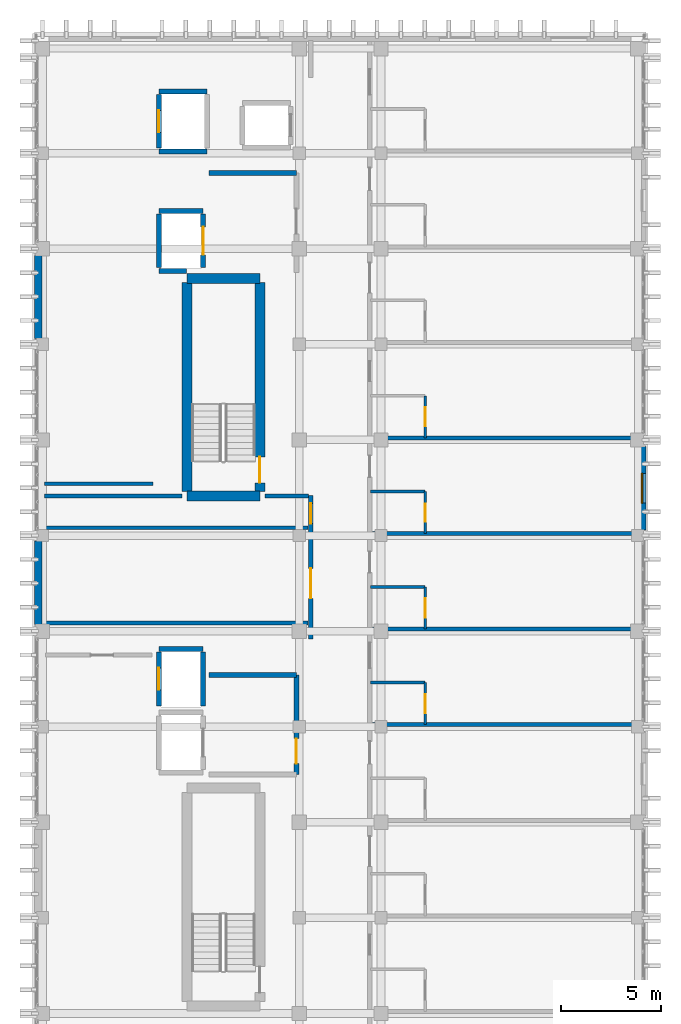
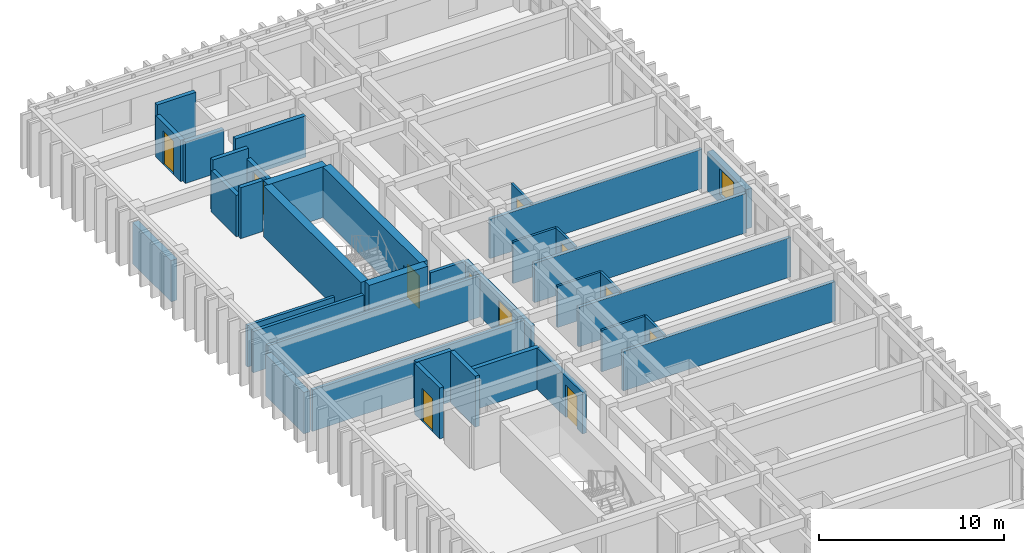
# One storey, part 50 of 59: 37 walls, 11 doors, 1 window, 12 openings.
"""IFC4 building model written with IfcOpenShell, lengths in metres."""

from ifc_helpers import new_model, si_unit, direction, frame, frame_2d, origin, place, context, subcontext, project, spatial, rectangle, extrude, material, layer, layer_set, type_object, element, fill, save


model = new_model("IFC4")

# Units and contexts
model_context = context("Model", 3, precision=1e-05, world=origin(), true_north=direction((0.0, 1.0)))
body_context = subcontext(model_context, "Body", "Model", "MODEL_VIEW")
ifc_project = project(units=[si_unit("LENGTHUNIT", "METRE"), si_unit("AREAUNIT", "SQUARE_METRE"), si_unit("VOLUMEUNIT", "CUBIC_METRE"), si_unit("PLANEANGLEUNIT", "RADIAN"), si_unit("MASSUNIT", "GRAM", prefix="KILO")], contexts=[model_context])

# Site, building, storey
site_placement = place(None, origin())
site = spatial("IfcSite", under=ifc_project, at=site_placement, CompositionType="ELEMENT")
building_placement = place(site_placement, origin())
building = spatial("IfcBuilding", under=site, at=building_placement, Name="Nakhvara Creek Congress Hotel", CompositionType="ELEMENT")
storey_placement = place(building_placement, frame((0.0, 0.0, 31.800048828125)))
storey = spatial("IfcBuildingStorey", under=building, at=storey_placement, Name="L07", CompositionType="ELEMENT", Elevation=31.800048828125)

# Walls
ifc_material_1 = material(Name="Concrete C50/60", Category="concrete")
ifc_layer_1 = layer(ifc_material_1, 0.5)
ifc_layer_set_1 = layer_set([ifc_layer_1], Name="Concrete C50/60")
wall_type_1 = type_object("IfcWallType", Name="W-CORE-500", PredefinedType="SHEAR", material=ifc_layer_set_1)
for number, where, z_axis, x_axis, name in (
    (1, (156.699951171875, 102.780029296875, 0.0), (0.0, 0.0, 1.0), (1.0, 0.0, 0.0), "Core Shear Wall WS01-CWALL-L07-0430"),
    (2, (156.699951171875, 113.719970703125, 0.0), (0.0, 0.0, 1.0), (1.0, 0.0, 0.0), "Core Shear Wall WS01-CWALL-L07-0431"),
):
    element("IfcWall", number, at=place(storey_placement, frame(where, z_axis=z_axis, x_axis=x_axis)), inside=storey, type_object=wall_type_1, Name=name, PredefinedType="SHEAR", context=body_context, shape_type="SweptSolid", body=[
        extrude(rectangle(XDim=3.670166015625, YDim=0.5, at=frame_2d((1.8349609375, 0.0))), origin(), (0.0, 0.0, 1.0), 3.35986328125),
    ])
wall_1_placement = place(storey_placement, frame((156.699951171875, 103.0, 0.0), z_axis=(0.0, 0.0, 1.0), x_axis=(0.0, 1.0, 0.0)))
element("IfcWall", 3, at=wall_1_placement, inside=storey, type_object=wall_type_1, Name="Core Shear Wall WS01-CWALL-L07-0432", PredefinedType="SHEAR", context=body_context, shape_type="SweptSolid", body=[
    extrude(rectangle(XDim=10.5, YDim=0.5, at=frame_2d((5.25, 0.0))), origin(), (0.0, 0.0, 1.0), 3.35986328125),
])

# Wall, opening, door
wall_2_placement = place(storey_placement, frame((160.3701171875, 103.0, 0.0), z_axis=(0.0, 0.0, 1.0), x_axis=(0.0, 1.0, 0.0)))
wall_2 = element("IfcWall", 4, at=wall_2_placement, inside=storey, type_object=wall_type_1, Name="Core Shear Wall WS01-CWALL-L07-0433", PredefinedType="SHEAR", context=body_context, shape_type="SweptSolid", body=[
    extrude(rectangle(XDim=10.5, YDim=0.5, at=frame_2d((5.25, 0.0))), origin(), (0.0, 0.0, 1.0), 3.35986328125),
])
opening_1_placement = place(wall_2_placement, frame((0.449951171875, 0.0, 0.0)))
opening_1 = element("IfcOpeningElement", 5, at=opening_1_placement, cuts=wall_2, Name="Opening FD04", PredefinedType="OPENING", context=body_context, shape_type="SweptSolid", body=[
    extrude(rectangle(XDim=1.300048828125, YDim=2.14990234375, at=frame_2d((0.64990234375, 1.074951171875))), frame((0.0, 0.261962890625, 0.0), z_axis=(0.0, -1.0, 0.0), x_axis=(1.0, 0.0, 0.0)), (0.0, 0.0, 1.0), 0.52392578125),
])
ifc_material_2 = material(Name="Powder-coated steel fire door", Category="steel")
door_type_1 = type_object("IfcDoorType", Name="DT-STAIR-130", OperationType="NOTDEFINED", PredefinedType="DOOR", material=ifc_material_2)
door_1_placement = place(opening_1_placement, frame((1.300048828125, 0.0, 0.0), z_axis=(0.0, 0.0, 1.0), x_axis=(-1.0, 0.0, 0.0)))
door_1 = element("IfcDoor", 6, at=door_1_placement, inside=storey, type_object=door_type_1, Name="Stair Exit Door ST02-L07", OperationType="SINGLE_SWING_LEFT", OverallHeight=2.14990234375, OverallWidth=1.300048828125, PredefinedType="DOOR", context=body_context, shape_type="SweptSolid", body=[
    extrude(rectangle(XDim=1.300048828125, YDim=2.14990234375, at=frame_2d((0.64990234375, 1.074951171875))), frame((0.0, 0.02490234375, 0.0), z_axis=(0.0, -1.0, 0.0), x_axis=(1.0, 0.0, 0.0)), (0.0, 0.0, 1.0), 0.050048828125),
])
fill(opening_1, door_1)

# Wall, openings, doors
ifc_material_3 = material(Name="Gypsum acoustic board on steel stud", Category="steel")
ifc_layer_2 = layer(ifc_material_3, 0.219970703125)
ifc_layer_set_2 = layer_set([ifc_layer_2], Name="Gypsum acoustic board on steel stud")
wall_type_2 = type_object("IfcWallType", Name="W-CORR-220", PredefinedType="PARTITIONING", material=ifc_layer_set_2)
wall_3_placement = place(storey_placement, frame((162.919921875, 95.60009765625, 0.0), z_axis=(0.0, 0.0, 1.0), x_axis=(0.0, 1.0, 0.0)))
wall_3 = element("IfcWall", 7, at=wall_3_placement, inside=storey, type_object=wall_type_2, Name="Interior Wall WP11-IW-L07-0519", PredefinedType="PARTITIONING", context=body_context, shape_type="SweptSolid", body=[
    extrude(rectangle(XDim=7.219970703125, YDim=0.219970703125, at=frame_2d((3.60986328125, 0.0))), origin(), (0.0, 0.0, 1.0), 2.73193359375),
])
opening_2_placement = place(wall_3_placement, frame((2.050048828125, 0.0, 0.0)))
opening_2 = element("IfcOpeningElement", 8, at=opening_2_placement, cuts=wall_3, Name="Opening GD03", PredefinedType="OPENING", context=body_context, shape_type="SweptSolid", body=[
    extrude(rectangle(XDim=1.5, YDim=2.300048828125, at=frame_2d((0.75, 1.14990234375))), frame((0.0, 0.1220703125, 0.0), z_axis=(0.0, -1.0, 0.0), x_axis=(1.0, 0.0, 0.0)), (0.0, 0.0, 1.0), 0.243896484375),
])
opening_3_placement = place(wall_3_placement, frame((5.800048828125, 0.0, 0.0)))
opening_3 = element("IfcOpeningElement", 9, at=opening_3_placement, cuts=wall_3, Name="Opening GD01", PredefinedType="OPENING", context=body_context, shape_type="SweptSolid", body=[
    extrude(rectangle(XDim=1.02001953125, YDim=2.199951171875, at=frame_2d((0.510009765625, 1.10009765625))), frame((0.0, 0.1220703125, 0.0), z_axis=(0.0, -1.0, 0.0), x_axis=(1.0, 0.0, 0.0)), (0.0, 0.0, 1.0), 0.243896484375),
])
ifc_material_4 = material(Name="Walnut hardwood timber fire door", Category="wood")
door_type_2 = type_object("IfcDoorType", Name="DT-GUEST-102", OperationType="NOTDEFINED", PredefinedType="DOOR", material=ifc_material_4)
door_2_placement = place(opening_3_placement, frame((1.02001953125, 0.0, 0.0), z_axis=(0.0, 0.0, 1.0), x_axis=(-1.0, 0.0, 0.0)))
door_2 = element("IfcDoor", 10, at=door_2_placement, inside=storey, type_object=door_type_2, Name="Interior Door GD01-0398", OperationType="SINGLE_SWING_LEFT", OverallHeight=2.199951171875, OverallWidth=1.02001953125, PredefinedType="DOOR", context=body_context, shape_type="SweptSolid", body=[
    extrude(rectangle(XDim=1.02001953125, YDim=2.199951171875, at=frame_2d((0.510009765625, 1.10009765625))), frame((0.0, 0.02490234375, 0.0), z_axis=(0.0, -1.0, 0.0), x_axis=(1.0, 0.0, 0.0)), (0.0, 0.0, 1.0), 0.050048828125),
])
fill(opening_3, door_2)
ifc_material_5 = material(Name="Walnut hardwood double fire door", Category="wood")
door_type_3 = type_object("IfcDoorType", Name="DT-SUITE-150", OperationType="DOUBLE_DOOR_SINGLE_SWING", PredefinedType="DOOR", material=ifc_material_5)
door_3_placement = place(opening_2_placement, frame((1.5, 0.0, 0.0), z_axis=(0.0, 0.0, 1.0), x_axis=(-1.0, 0.0, 0.0)))
door_3 = element("IfcDoor", 11, at=door_3_placement, inside=storey, type_object=door_type_3, Name="Interior Door GD03-0397", OperationType="DOUBLE_DOOR_SINGLE_SWING", OverallHeight=2.300048828125, OverallWidth=1.5, PredefinedType="DOOR", context=body_context, shape_type="SweptSolid", body=[
    extrude(rectangle(XDim=1.5, YDim=2.300048828125, at=frame_2d((0.75, 1.14990234375))), frame((0.0, 0.02490234375, 0.0), z_axis=(0.0, -1.0, 0.0), x_axis=(1.0, 0.0, 0.0)), (0.0, 0.0, 1.0), 0.050048828125),
])
fill(opening_2, door_3)

# Wall, opening, door
ifc_material_6 = material(Name="Moisture-resistant gypsum board partition")
ifc_layer_3 = layer(ifc_material_6, 0.139892578125)
ifc_layer_set_3 = layer_set([ifc_layer_3], Name="Moisture-resistant gypsum board partition")
wall_type_3 = type_object("IfcWallType", Name="W-ENS-140", PredefinedType="PARTITIONING", material=ifc_layer_set_3)
wall_4_placement = place(storey_placement, frame((168.669921875, 91.300048828125, 0.0), z_axis=(0.0, 0.0, 1.0), x_axis=(0.0, 1.0, 0.0)))
wall_4 = element("IfcWall", 12, at=wall_4_placement, inside=storey, type_object=wall_type_3, Name="Interior Wall WP15-IW-L07-0565", PredefinedType="PARTITIONING", context=body_context, shape_type="SweptSolid", body=[
    extrude(rectangle(XDim=2.115966796875, YDim=0.139892578125, at=frame_2d((1.05810546875, 0.0))), origin(), (0.0, 0.0, 1.0), 2.73193359375),
])
opening_4_placement = place(wall_4_placement, frame((0.5830078125, 0.0, 0.0)))
opening_4 = element("IfcOpeningElement", 13, at=opening_4_placement, cuts=wall_4, Name="Opening ID02", PredefinedType="OPENING", context=body_context, shape_type="SweptSolid", body=[
    extrude(rectangle(XDim=0.9599609375, YDim=2.1201171875, at=frame_2d((0.47998046875, 1.06005859375))), frame((0.0, 0.08203125, 0.0), z_axis=(0.0, -1.0, 0.0), x_axis=(1.0, 0.0, 0.0)), (0.0, 0.0, 1.0), 0.163818359375),
])
ifc_material_7 = material(Name="Moisture-resistant walnut timber door", Category="wood")
door_type_4 = type_object("IfcDoorType", Name="DT-ENS-096", OperationType="NOTDEFINED", PredefinedType="DOOR", material=ifc_material_7)
door_4_placement = place(opening_4_placement, frame((0.9599609375, 0.0, 0.0), z_axis=(0.0, 0.0, 1.0), x_axis=(-1.0, 0.0, 0.0)))
door_4 = element("IfcDoor", 14, at=door_4_placement, inside=storey, type_object=door_type_4, Name="Interior Door ID02-0425", OperationType="SINGLE_SWING_RIGHT", OverallHeight=2.1201171875, OverallWidth=0.9599609375, PredefinedType="DOOR", context=body_context, shape_type="SweptSolid", body=[
    extrude(rectangle(XDim=0.9599609375, YDim=2.1201171875, at=frame_2d((0.47998046875, 1.06005859375))), frame((0.0, 0.02490234375, 0.0), z_axis=(0.0, -1.0, 0.0), x_axis=(1.0, 0.0, 0.0)), (0.0, 0.0, 1.0), 0.050048828125),
])
fill(opening_4, door_4)

# Wall
wall_5_placement = place(storey_placement, frame((165.919921875, 93.416015625, 0.0), z_axis=(0.0, 0.0, 1.0), x_axis=(1.0, 0.0, 0.0)))
element("IfcWall", 15, at=wall_5_placement, inside=storey, type_object=wall_type_3, Name="Interior Wall WP15-IW-L07-0566", PredefinedType="PARTITIONING", context=body_context, shape_type="SweptSolid", body=[
    extrude(rectangle(XDim=2.75, YDim=0.139892578125, at=frame_2d((1.375, 0.0))), origin(), (0.0, 0.0, 1.0), 2.73193359375),
])

# Wall, opening, door
wall_6_placement = place(storey_placement, frame((168.669921875, 96.10009765625, 0.0), z_axis=(0.0, 0.0, 1.0), x_axis=(0.0, 1.0, 0.0)))
wall_6 = element("IfcWall", 16, at=wall_6_placement, inside=storey, type_object=wall_type_3, Name="Interior Wall WP15-IW-L07-0568", PredefinedType="PARTITIONING", context=body_context, shape_type="SweptSolid", body=[
    extrude(rectangle(XDim=2.115966796875, YDim=0.139892578125, at=frame_2d((1.05810546875, 0.0))), origin(), (0.0, 0.0, 1.0), 2.73193359375),
])
opening_5_placement = place(wall_6_placement, frame((0.5830078125, 0.0, 0.0)))
opening_5 = element("IfcOpeningElement", 17, at=opening_5_placement, cuts=wall_6, Name="Opening ID02", PredefinedType="OPENING", context=body_context, shape_type="SweptSolid", body=[
    extrude(rectangle(XDim=0.9599609375, YDim=2.1201171875, at=frame_2d((0.47998046875, 1.06005859375))), frame((0.0, 0.08203125, 0.0), z_axis=(0.0, -1.0, 0.0), x_axis=(1.0, 0.0, 0.0)), (0.0, 0.0, 1.0), 0.163818359375),
])
door_5_placement = place(opening_5_placement, frame((0.9599609375, 0.0, 0.0), z_axis=(0.0, 0.0, 1.0), x_axis=(-1.0, 0.0, 0.0)))
door_5 = element("IfcDoor", 18, at=door_5_placement, inside=storey, type_object=door_type_4, Name="Interior Door ID02-0427", OperationType="SINGLE_SWING_RIGHT", OverallHeight=2.1201171875, OverallWidth=0.9599609375, PredefinedType="DOOR", context=body_context, shape_type="SweptSolid", body=[
    extrude(rectangle(XDim=0.9599609375, YDim=2.1201171875, at=frame_2d((0.47998046875, 1.06005859375))), frame((0.0, 0.02490234375, 0.0), z_axis=(0.0, -1.0, 0.0), x_axis=(1.0, 0.0, 0.0)), (0.0, 0.0, 1.0), 0.050048828125),
])
fill(opening_5, door_5)

# Wall
wall_7_placement = place(storey_placement, frame((165.919921875, 98.216064453125, 0.0), z_axis=(0.0, 0.0, 1.0), x_axis=(1.0, 0.0, 0.0)))
element("IfcWall", 19, at=wall_7_placement, inside=storey, type_object=wall_type_3, Name="Interior Wall WP15-IW-L07-0569", PredefinedType="PARTITIONING", context=body_context, shape_type="SweptSolid", body=[
    extrude(rectangle(XDim=2.75, YDim=0.139892578125, at=frame_2d((1.375, 0.0))), origin(), (0.0, 0.0, 1.0), 2.73193359375),
])

# Wall, opening, door
wall_8_placement = place(storey_placement, frame((168.669921875, 100.89990234375, 0.0), z_axis=(0.0, 0.0, 1.0), x_axis=(0.0, 1.0, 0.0)))
wall_8 = element("IfcWall", 20, at=wall_8_placement, inside=storey, type_object=wall_type_3, Name="Interior Wall WP15-IW-L07-0571", PredefinedType="PARTITIONING", context=body_context, shape_type="SweptSolid", body=[
    extrude(rectangle(XDim=2.1162109375, YDim=0.139892578125, at=frame_2d((1.05810546875, 0.0))), origin(), (0.0, 0.0, 1.0), 2.73193359375),
])
opening_6_placement = place(wall_8_placement, frame((0.5830078125, 0.0, 0.0)))
opening_6 = element("IfcOpeningElement", 21, at=opening_6_placement, cuts=wall_8, Name="Opening ID01", PredefinedType="OPENING", context=body_context, shape_type="SweptSolid", body=[
    extrude(rectangle(XDim=0.919921875, YDim=2.10009765625, at=frame_2d((0.4599609375, 1.050048828125))), frame((0.0, 0.08203125, 0.0), z_axis=(0.0, -1.0, 0.0), x_axis=(1.0, 0.0, 0.0)), (0.0, 0.0, 1.0), 0.163818359375),
])
door_type_5 = type_object("IfcDoorType", Name="DT-ENS-092", OperationType="NOTDEFINED", PredefinedType="DOOR", material=ifc_material_7)
door_6_placement = place(opening_6_placement, frame((0.919921875, 0.0, 0.0), z_axis=(0.0, 0.0, 1.0), x_axis=(-1.0, 0.0, 0.0)))
door_6 = element("IfcDoor", 22, at=door_6_placement, inside=storey, type_object=door_type_5, Name="Interior Door ID01-0429", OperationType="SINGLE_SWING_RIGHT", OverallHeight=2.10009765625, OverallWidth=0.919921875, PredefinedType="DOOR", context=body_context, shape_type="SweptSolid", body=[
    extrude(rectangle(XDim=0.919921875, YDim=2.10009765625, at=frame_2d((0.4599609375, 1.050048828125))), frame((0.0, 0.02490234375, 0.0), z_axis=(0.0, -1.0, 0.0), x_axis=(1.0, 0.0, 0.0)), (0.0, 0.0, 1.0), 0.050048828125),
])
fill(opening_6, door_6)

# Wall
wall_9_placement = place(storey_placement, frame((165.919921875, 103.01611328125, 0.0), z_axis=(0.0, 0.0, 1.0), x_axis=(1.0, 0.0, 0.0)))
element("IfcWall", 23, at=wall_9_placement, inside=storey, type_object=wall_type_3, Name="Interior Wall WP15-IW-L07-0572", PredefinedType="PARTITIONING", context=body_context, shape_type="SweptSolid", body=[
    extrude(rectangle(XDim=2.75, YDim=0.139892578125, at=frame_2d((1.375, 0.0))), origin(), (0.0, 0.0, 1.0), 2.73193359375),
])

# Wall, opening, door
wall_10_placement = place(storey_placement, frame((168.669921875, 105.699951171875, 0.0), z_axis=(0.0, 0.0, 1.0), x_axis=(0.0, 1.0, 0.0)))
wall_10 = element("IfcWall", 24, at=wall_10_placement, inside=storey, type_object=wall_type_3, Name="Interior Wall WP15-IW-L07-0574", PredefinedType="PARTITIONING", context=body_context, shape_type="SweptSolid", body=[
    extrude(rectangle(XDim=2.115966796875, YDim=0.139892578125, at=frame_2d((1.05810546875, 0.0))), origin(), (0.0, 0.0, 1.0), 2.73193359375),
])
opening_7_placement = place(wall_10_placement, frame((0.5830078125, 0.0, 0.0)))
opening_7 = element("IfcOpeningElement", 25, at=opening_7_placement, cuts=wall_10, Name="Opening ID02", PredefinedType="OPENING", context=body_context, shape_type="SweptSolid", body=[
    extrude(rectangle(XDim=0.9599609375, YDim=2.1201171875, at=frame_2d((0.47998046875, 1.06005859375))), frame((0.0, 0.08203125, 0.0), z_axis=(0.0, -1.0, 0.0), x_axis=(1.0, 0.0, 0.0)), (0.0, 0.0, 1.0), 0.163818359375),
])
door_7_placement = place(opening_7_placement, frame((0.9599609375, 0.0, 0.0), z_axis=(0.0, 0.0, 1.0), x_axis=(-1.0, 0.0, 0.0)))
door_7 = element("IfcDoor", 26, at=door_7_placement, inside=storey, type_object=door_type_4, Name="Interior Door ID02-0431", OperationType="SINGLE_SWING_RIGHT", OverallHeight=2.1201171875, OverallWidth=0.9599609375, PredefinedType="DOOR", context=body_context, shape_type="SweptSolid", body=[
    extrude(rectangle(XDim=0.9599609375, YDim=2.1201171875, at=frame_2d((0.47998046875, 1.06005859375))), frame((0.0, 0.02490234375, 0.0), z_axis=(0.0, -1.0, 0.0), x_axis=(1.0, 0.0, 0.0)), (0.0, 0.0, 1.0), 0.050048828125),
])
fill(opening_7, door_7)

# Wall
ifc_material_8 = material(Name="Honed pale Omani limestone cladding", Category="masonry")
ifc_layer_4 = layer(ifc_material_8, 0.050048828125)
ifc_material_9 = material(Name="Mineral wool thermal insulation")
ifc_layer_5 = layer(ifc_material_9, 0.110107421875)
ifc_material_10 = material(Name="Precast concrete C40/50", Category="concrete")
ifc_layer_6 = layer(ifc_material_10, 0.219970703125)
ifc_layer_set_4 = layer_set([ifc_layer_4, ifc_layer_5, ifc_layer_6], Name="Precast concrete C40/50")
wall_type_4 = type_object("IfcWallType", Name="W-EXT-380", PredefinedType="SOLIDWALL", material=ifc_layer_set_4)
wall_11_placement = place(storey_placement, frame((149.239990234375, 96.3349609375, 0.0), z_axis=(0.0, 0.0, 1.0), x_axis=(0.0, 1.0, 0.0)))
element("IfcWall", 27, at=wall_11_placement, inside=storey, type_object=wall_type_4, Name="Exterior Wall WE03-EW-L07-0184", PredefinedType="SOLIDWALL", context=body_context, shape_type="SweptSolid", body=[
    extrude(rectangle(XDim=4.179931640625, YDim=0.3798828125, at=frame_2d((2.08984375, 0.0))), origin(), (0.0, 0.0, 1.0), 2.73193359375),
])

# Wall, opening, window
wall_12_placement = place(storey_placement, frame((179.56005859375, 105.264892578125, 0.0), z_axis=(0.0, 0.0, 1.0), x_axis=(0.0, -1.0, 0.0)))
wall_12 = element("IfcWall", 28, at=wall_12_placement, inside=storey, type_object=wall_type_4, Name="Exterior Wall WE03-EW-L07-0185", PredefinedType="SOLIDWALL", context=body_context, shape_type="SweptSolid", body=[
    extrude(rectangle(XDim=4.179931640625, YDim=0.3798828125, at=frame_2d((2.08984375, 0.0))), origin(), (0.0, 0.0, 1.0), 2.60205078125),
])
opening_8_placement = place(wall_12_placement, frame((1.340087890625, 0.0, 0.550048828125)))
opening_8 = element("IfcOpeningElement", 29, at=opening_8_placement, cuts=wall_12, Name="Opening WN0199", PredefinedType="OPENING", context=body_context, shape_type="SweptSolid", body=[
    extrude(rectangle(XDim=1.5, YDim=1.739990234375, at=frame_2d((0.75, 0.8701171875))), frame((0.0, 0.201904296875, 0.0), z_axis=(0.0, -1.0, 0.0), x_axis=(1.0, 0.0, 0.0)), (0.0, 0.0, 1.0), 0.40380859375),
])
ifc_material_11 = material(Name="Thermally broken bronze-anodised aluminium and double-silver low-E insulated glass", Category="aluminium")
window_type = type_object("IfcWindowType", Name="WN-LAN-150X220", PartitioningType="SINGLE_PANEL", PredefinedType="WINDOW", material=ifc_material_11)
window_placement = place(opening_8_placement, origin())
window = element("IfcWindow", 30, at=window_placement, inside=storey, type_object=window_type, Name="Facade Window WN0199", OverallHeight=1.739990234375, OverallWidth=1.5, PartitioningType="SINGLE_PANEL", PredefinedType="WINDOW", context=body_context, shape_type="SweptSolid", body=[
    extrude(rectangle(XDim=1.5, YDim=1.739990234375, at=frame_2d((0.75, 0.8701171875))), frame((0.0, 0.030029296875, 0.0), z_axis=(0.0, -1.0, 0.0), x_axis=(1.0, 0.0, 0.0)), (0.0, 0.0, 1.0), 0.06005859375),
])
fill(opening_8, window)

# Wall
wall_13_placement = place(storey_placement, frame((149.239990234375, 110.68505859375, 0.0), z_axis=(0.0, 0.0, 1.0), x_axis=(0.0, 1.0, 0.0)))
element("IfcWall", 31, at=wall_13_placement, inside=storey, type_object=wall_type_4, Name="Exterior Wall WE03-EW-L07-0186", PredefinedType="SOLIDWALL", context=body_context, shape_type="SweptSolid", body=[
    extrude(rectangle(XDim=4.179931640625, YDim=0.3798828125, at=frame_2d((2.08984375, 0.0))), origin(), (0.0, 0.0, 1.0), 2.73193359375),
])

# Wall, opening, door
ifc_material_12 = material(Name="Concrete C40/50", Category="concrete")
ifc_layer_7 = layer(ifc_material_12, 0.260009765625)
ifc_layer_set_5 = layer_set([ifc_layer_7], Name="Concrete C40/50")
wall_type_5 = type_object("IfcWallType", Name="W-FFL-260", PredefinedType="SOLIDWALL", material=ifc_layer_set_5)
wall_14_placement = place(storey_placement, frame((162.199951171875, 88.800048828125, 0.0), z_axis=(0.0, 0.0, 1.0), x_axis=(0.0, 1.0, 0.0)))
wall_14 = element("IfcWall", 32, at=wall_14_placement, inside=storey, type_object=wall_type_5, Name="Core Shear Wall WI03-CWALL-L07-0178", PredefinedType="SOLIDWALL", context=body_context, shape_type="SweptSolid", body=[
    extrude(rectangle(XDim=5.0, YDim=0.260009765625, at=frame_2d((2.5, 0.0))), origin(), (0.0, 0.0, 1.0), 2.73193359375),
])
opening_9_placement = place(wall_14_placement, frame((0.550048828125, 0.0, 0.0)))
opening_9 = element("IfcOpeningElement", 33, at=opening_9_placement, cuts=wall_14, Name="Opening FD05", PredefinedType="OPENING", context=body_context, shape_type="SweptSolid", body=[
    extrude(rectangle(XDim=1.25, YDim=2.14990234375, at=frame_2d((0.625, 1.074951171875))), frame((0.0, 0.14208984375, 0.0), z_axis=(0.0, -1.0, 0.0), x_axis=(1.0, 0.0, 0.0)), (0.0, 0.0, 1.0), 0.283935546875),
])
ifc_material_13 = material(Name="Hardwood-veneered steel fire door", Category="steel")
door_type_6 = type_object("IfcDoorType", Name="DT-FFL-125", OperationType="NOTDEFINED", PredefinedType="DOOR", material=ifc_material_13)
door_8_placement = place(opening_9_placement, origin())
door_8 = element("IfcDoor", 34, at=door_8_placement, inside=storey, type_object=door_type_6, Name="Firefighting Lobby Door C1-L07", OperationType="DOUBLE_DOOR_SINGLE_SWING", OverallHeight=2.14990234375, OverallWidth=1.25, PredefinedType="DOOR", context=body_context, shape_type="SweptSolid", body=[
    extrude(rectangle(XDim=1.25, YDim=2.14990234375, at=frame_2d((0.625, 1.074951171875))), frame((0.0, 0.02490234375, 0.0), z_axis=(0.0, -1.0, 0.0), x_axis=(1.0, 0.0, 0.0)), (0.0, 0.0, 1.0), 0.050048828125),
])
fill(opening_9, door_8)

# Walls
for number, where, z_axis, x_axis, name in (
    (35, (157.800048828125, 93.800048828125, 0.0), (0.0, 0.0, 1.0), (1.0, 0.0, 0.0), "Core Shear Wall WI03-CWALL-L07-0180"),
    (36, (157.800048828125, 119.0, 0.0), (0.0, 0.0, 1.0), (1.0, 0.0, 0.0), "Core Shear Wall WI03-CWALL-L07-0447"),
):
    element("IfcWall", number, at=place(storey_placement, frame(where, z_axis=z_axis, x_axis=x_axis)), inside=storey, type_object=wall_type_5, Name=name, PredefinedType="SOLIDWALL", context=body_context, shape_type="SweptSolid", body=[
        extrude(rectangle(XDim=4.39990234375, YDim=0.260009765625, at=frame_2d((2.199951171875, 0.0))), origin(), (0.0, 0.0, 1.0), 2.73193359375),
    ])
ifc_layer_8 = layer(ifc_material_3, 0.179931640625)
ifc_layer_set_6 = layer_set([ifc_layer_8], Name="Gypsum acoustic board on steel stud")
wall_type_6 = type_object("IfcWallType", Name="W-MEET-180", PredefinedType="PARTITIONING", material=ifc_layer_set_6)
wall_15_placement = place(storey_placement, frame((149.550048828125, 101.199951171875, 0.0), z_axis=(0.0, 0.0, 1.0), x_axis=(1.0, 0.0, 0.0)))
element("IfcWall", 37, at=wall_15_placement, inside=storey, type_object=wall_type_6, Name="Interior Wall WP13-IW-L07-0523", PredefinedType="PARTITIONING", context=body_context, shape_type="SweptSolid", body=[
    extrude(rectangle(XDim=13.22998046875, YDim=0.179931640625, at=frame_2d((6.614990234375, 0.0))), origin(), (0.0, 0.0, 1.0), 2.73193359375),
])
wall_16_placement = place(storey_placement, frame((149.550048828125, 103.39990234375, 0.0), z_axis=(0.0, 0.0, 1.0), x_axis=(1.0, 0.0, 0.0)))
element("IfcWall", 38, at=wall_16_placement, inside=storey, type_object=wall_type_6, Name="Interior Wall WP13-IW-L07-0528", PredefinedType="PARTITIONING", context=body_context, shape_type="SweptSolid", body=[
    extrude(rectangle(XDim=5.449951171875, YDim=0.179931640625, at=frame_2d((2.72509765625, 0.0))), origin(), (0.0, 0.0, 1.0), 2.73193359375),
])
ifc_layer_9 = layer(ifc_material_3, 0.199951171875)
ifc_layer_set_7 = layer_set([ifc_layer_9], Name="Gypsum acoustic board on steel stud")
wall_type_7 = type_object("IfcWallType", Name="W-PART-200", PredefinedType="PARTITIONING", material=ifc_layer_set_7)
wall_17_placement = place(storey_placement, frame((149.550048828125, 96.39990234375, 0.0), z_axis=(0.0, 0.0, 1.0), x_axis=(1.0, 0.0, 0.0)))
element("IfcWall", 39, at=wall_17_placement, inside=storey, type_object=wall_type_7, Name="Interior Wall WP12-IW-L07-0522", PredefinedType="PARTITIONING", context=body_context, shape_type="SweptSolid", body=[
    extrude(rectangle(XDim=13.22998046875, YDim=0.199951171875, at=frame_2d((6.614990234375, 0.0))), origin(), (0.0, 0.0, 1.0), 2.73193359375),
])
wall_18_placement = place(storey_placement, frame((149.550048828125, 102.780029296875, 0.0), z_axis=(0.0, 0.0, 1.0), x_axis=(1.0, 0.0, 0.0)))
element("IfcWall", 40, at=wall_18_placement, inside=storey, type_object=wall_type_7, Name="Interior Wall WP12-IW-L07-0524", PredefinedType="PARTITIONING", context=body_context, shape_type="SweptSolid", body=[
    extrude(rectangle(XDim=6.89990234375, YDim=0.199951171875, at=frame_2d((3.449951171875, 0.0))), origin(), (0.0, 0.0, 1.0), 2.73193359375),
])
wall_19_placement = place(storey_placement, frame((160.6201171875, 102.780029296875, 0.0), z_axis=(0.0, 0.0, 1.0), x_axis=(1.0, 0.0, 0.0)))
element("IfcWall", 41, at=wall_19_placement, inside=storey, type_object=wall_type_7, Name="Interior Wall WP12-IW-L07-0525", PredefinedType="PARTITIONING", context=body_context, shape_type="SweptSolid", body=[
    extrude(rectangle(XDim=2.18994140625, YDim=0.199951171875, at=frame_2d((1.094970703125, 0.0))), origin(), (0.0, 0.0, 1.0), 2.73193359375),
])
for number, where, z_axis, x_axis, name in (
    (42, (166.02001953125, 91.300048828125, 0.0), (0.0, 0.0, 1.0), (1.0, 0.0, 0.0), "Interior Wall WP12-IW-L07-0564"),
    (43, (166.02001953125, 96.10009765625, 0.0), (0.0, 0.0, 1.0), (1.0, 0.0, 0.0), "Interior Wall WP12-IW-L07-0567"),
    (44, (166.02001953125, 100.89990234375, 0.0), (0.0, 0.0, 1.0), (1.0, 0.0, 0.0), "Interior Wall WP12-IW-L07-0570"),
    (45, (166.02001953125, 105.699951171875, 0.0), (0.0, 0.0, 1.0), (1.0, 0.0, 0.0), "Interior Wall WP12-IW-L07-0573"),
):
    element("IfcWall", number, at=place(storey_placement, frame(where, z_axis=z_axis, x_axis=x_axis)), inside=storey, type_object=wall_type_7, Name=name, PredefinedType="PARTITIONING", context=body_context, shape_type="SweptSolid", body=[
        extrude(rectangle(XDim=13.22998046875, YDim=0.199951171875, at=frame_2d((6.614990234375, 0.0))), origin(), (0.0, 0.0, 1.0), 2.60205078125),
    ])
ifc_layer_10 = layer(ifc_material_12, 0.25)
ifc_layer_set_8 = layer_set([ifc_layer_10], Name="Concrete C40/50")
wall_type_8 = type_object("IfcWallType", Name="W-SHAFT-250", PredefinedType="SOLIDWALL", material=ifc_layer_set_8)
wall_20_placement = place(storey_placement, frame((155.2900390625, 95.110107421875, 0.0), z_axis=(0.0, 0.0, 1.0), x_axis=(1.0, 0.0, 0.0)))
element("IfcWall", 46, at=wall_20_placement, inside=storey, type_object=wall_type_8, Name="Core Shear Wall WI02-CWALL-L07-0171", PredefinedType="SOLIDWALL", context=body_context, shape_type="SweptSolid", body=[
    extrude(rectangle(XDim=2.219970703125, YDim=0.25, at=frame_2d((1.10986328125, 0.0))), origin(), (0.0, 0.0, 1.0), 3.35986328125),
])

# Wall, opening, door
wall_21_placement = place(storey_placement, frame((155.2900390625, 92.25, 0.0), z_axis=(0.0, 0.0, 1.0), x_axis=(0.0, 1.0, 0.0)))
wall_21 = element("IfcWall", 47, at=wall_21_placement, inside=storey, type_object=wall_type_8, Name="Core Shear Wall WI02-CWALL-L07-0172", PredefinedType="SOLIDWALL", context=body_context, shape_type="SweptSolid", body=[
    extrude(rectangle(XDim=2.699951171875, YDim=0.25, at=frame_2d((1.35009765625, 0.0))), origin(), (0.0, 0.0, 1.0), 3.35986328125),
])
opening_10_placement = place(wall_21_placement, frame((0.800048828125, 0.0, 0.0)))
opening_10 = element("IfcOpeningElement", 48, at=opening_10_placement, cuts=wall_21, Name="Opening LD01", PredefinedType="OPENING", context=body_context, shape_type="SweptSolid", body=[
    extrude(rectangle(XDim=1.10009765625, YDim=2.199951171875, at=frame_2d((0.550048828125, 1.10009765625))), frame((0.0, 0.136962890625, 0.0), z_axis=(0.0, -1.0, 0.0), x_axis=(1.0, 0.0, 0.0)), (0.0, 0.0, 1.0), 0.27392578125),
])
ifc_material_14 = material(Name="Brushed stainless steel sliding landing door", Category="steel")
door_type_7 = type_object("IfcDoorType", Name="DT-LIFT-110", OperationType="DOUBLE_DOOR_SLIDING", PredefinedType="DOOR", material=ifc_material_14)
door_9_placement = place(opening_10_placement, origin())
door_9 = element("IfcDoor", 49, at=door_9_placement, inside=storey, type_object=door_type_7, Name="Landing Door SL01-L07", OperationType="SLIDING_TO_LEFT", OverallHeight=2.199951171875, OverallWidth=1.10009765625, PredefinedType="DOOR", context=body_context, shape_type="SweptSolid", body=[
    extrude(rectangle(XDim=1.10009765625, YDim=2.199951171875, at=frame_2d((0.550048828125, 1.10009765625))), frame((0.0, 0.02490234375, 0.0), z_axis=(0.0, -1.0, 0.0), x_axis=(1.0, 0.0, 0.0)), (0.0, 0.0, 1.0), 0.050048828125),
])
fill(opening_10, door_9)

# Walls
wall_22_placement = place(storey_placement, frame((157.510009765625, 92.25, 0.0), z_axis=(0.0, 0.0, 1.0), x_axis=(0.0, 1.0, 0.0)))
element("IfcWall", 50, at=wall_22_placement, inside=storey, type_object=wall_type_8, Name="Core Shear Wall WI02-CWALL-L07-0173", PredefinedType="SOLIDWALL", context=body_context, shape_type="SweptSolid", body=[
    extrude(rectangle(XDim=2.699951171875, YDim=0.25, at=frame_2d((1.35009765625, 0.0))), origin(), (0.0, 0.0, 1.0), 3.35986328125),
])
wall_23_placement = place(storey_placement, frame((155.2900390625, 114.090087890625, 0.0), z_axis=(0.0, 0.0, 1.0), x_axis=(1.0, 0.0, 0.0)))
element("IfcWall", 51, at=wall_23_placement, inside=storey, type_object=wall_type_8, Name="Core Shear Wall WI02-CWALL-L07-0434", PredefinedType="SOLIDWALL", context=body_context, shape_type="SweptSolid", body=[
    extrude(rectangle(XDim=1.39990234375, YDim=0.25, at=frame_2d((0.699951171875, 0.0))), origin(), (0.0, 0.0, 1.0), 3.35986328125),
])
wall_24_placement = place(storey_placement, frame((155.2900390625, 117.110107421875, 0.0), z_axis=(0.0, 0.0, 1.0), x_axis=(1.0, 0.0, 0.0)))
element("IfcWall", 52, at=wall_24_placement, inside=storey, type_object=wall_type_8, Name="Core Shear Wall WI02-CWALL-L07-0435", PredefinedType="SOLIDWALL", context=body_context, shape_type="SweptSolid", body=[
    extrude(rectangle(XDim=2.219970703125, YDim=0.25, at=frame_2d((1.10986328125, 0.0))), origin(), (0.0, 0.0, 1.0), 3.35986328125),
])
wall_25_placement = place(storey_placement, frame((155.2900390625, 114.25, 0.0), z_axis=(0.0, 0.0, 1.0), x_axis=(0.0, 1.0, 0.0)))
element("IfcWall", 53, at=wall_25_placement, inside=storey, type_object=wall_type_8, Name="Core Shear Wall WI02-CWALL-L07-0436", PredefinedType="SOLIDWALL", context=body_context, shape_type="SweptSolid", body=[
    extrude(rectangle(XDim=2.699951171875, YDim=0.25, at=frame_2d((1.35009765625, 0.0))), origin(), (0.0, 0.0, 1.0), 2.73193359375),
])

# Wall, opening, door
wall_26_placement = place(storey_placement, frame((157.510009765625, 114.25, 0.0), z_axis=(0.0, 0.0, 1.0), x_axis=(0.0, 1.0, 0.0)))
wall_26 = element("IfcWall", 54, at=wall_26_placement, inside=storey, type_object=wall_type_8, Name="Core Shear Wall WI02-CWALL-L07-0437", PredefinedType="SOLIDWALL", context=body_context, shape_type="SweptSolid", body=[
    extrude(rectangle(XDim=2.699951171875, YDim=0.25, at=frame_2d((1.35009765625, 0.0))), origin(), (0.0, 0.0, 1.0), 2.73193359375),
])
opening_11_placement = place(wall_26_placement, frame((0.64990234375, 0.0, 0.0)))
opening_11 = element("IfcOpeningElement", 55, at=opening_11_placement, cuts=wall_26, Name="Opening LD02", PredefinedType="OPENING", context=body_context, shape_type="SweptSolid", body=[
    extrude(rectangle(XDim=1.39990234375, YDim=2.300048828125, at=frame_2d((0.699951171875, 1.14990234375))), frame((0.0, 0.136962890625, 0.0), z_axis=(0.0, -1.0, 0.0), x_axis=(1.0, 0.0, 0.0)), (0.0, 0.0, 1.0), 0.27392578125),
])
ifc_material_15 = material(Name="Brushed stainless steel heavy goods landing door", Category="steel")
door_type_8 = type_object("IfcDoorType", Name="DT-LIFT-140", OperationType="DOUBLE_DOOR_SLIDING", PredefinedType="DOOR", material=ifc_material_15)
door_10_placement = place(opening_11_placement, origin())
door_10 = element("IfcDoor", 56, at=door_10_placement, inside=storey, type_object=door_type_8, Name="Landing Door FFL2-L07", OperationType="SLIDING_TO_LEFT", OverallHeight=2.300048828125, OverallWidth=1.39990234375, PredefinedType="DOOR", context=body_context, shape_type="SweptSolid", body=[
    extrude(rectangle(XDim=1.39990234375, YDim=2.300048828125, at=frame_2d((0.699951171875, 1.14990234375))), frame((0.0, 0.02490234375, 0.0), z_axis=(0.0, -1.0, 0.0), x_axis=(1.0, 0.0, 0.0)), (0.0, 0.0, 1.0), 0.050048828125),
])
fill(opening_11, door_10)

# Walls
wall_27_placement = place(storey_placement, frame((155.2900390625, 120.090087890625, 0.0), z_axis=(0.0, 0.0, 1.0), x_axis=(1.0, 0.0, 0.0)))
element("IfcWall", 57, at=wall_27_placement, inside=storey, type_object=wall_type_8, Name="Core Shear Wall WI02-CWALL-L07-0442", PredefinedType="SOLIDWALL", context=body_context, shape_type="SweptSolid", body=[
    extrude(rectangle(XDim=2.419921875, YDim=0.25, at=frame_2d((1.2099609375, 0.0))), origin(), (0.0, 0.0, 1.0), 2.73193359375),
])
wall_28_placement = place(storey_placement, frame((155.2900390625, 123.110107421875, 0.0), z_axis=(0.0, 0.0, 1.0), x_axis=(1.0, 0.0, 0.0)))
element("IfcWall", 58, at=wall_28_placement, inside=storey, type_object=wall_type_8, Name="Core Shear Wall WI02-CWALL-L07-0443", PredefinedType="SOLIDWALL", context=body_context, shape_type="SweptSolid", body=[
    extrude(rectangle(XDim=2.419921875, YDim=0.25, at=frame_2d((1.2099609375, 0.0))), origin(), (0.0, 0.0, 1.0), 3.35986328125),
])

# Wall, opening, door
wall_29_placement = place(storey_placement, frame((155.2900390625, 120.25, 0.0), z_axis=(0.0, 0.0, 1.0), x_axis=(0.0, 1.0, 0.0)))
wall_29 = element("IfcWall", 59, at=wall_29_placement, inside=storey, type_object=wall_type_8, Name="Core Shear Wall WI02-CWALL-L07-0444", PredefinedType="SOLIDWALL", context=body_context, shape_type="SweptSolid", body=[
    extrude(rectangle(XDim=2.699951171875, YDim=0.25, at=frame_2d((1.35009765625, 0.0))), origin(), (0.0, 0.0, 1.0), 2.73193359375),
])
opening_12_placement = place(wall_29_placement, frame((0.800048828125, 0.0, 0.0)))
opening_12 = element("IfcOpeningElement", 60, at=opening_12_placement, cuts=wall_29, Name="Opening LD01", PredefinedType="OPENING", context=body_context, shape_type="SweptSolid", body=[
    extrude(rectangle(XDim=1.10009765625, YDim=2.199951171875, at=frame_2d((0.550048828125, 1.10009765625))), frame((0.0, 0.136962890625, 0.0), z_axis=(0.0, -1.0, 0.0), x_axis=(1.0, 0.0, 0.0)), (0.0, 0.0, 1.0), 0.27392578125),
])
door_11_placement = place(opening_12_placement, origin())
door_11 = element("IfcDoor", 61, at=door_11_placement, inside=storey, type_object=door_type_7, Name="Landing Door SL02-L07", OperationType="SLIDING_TO_LEFT", OverallHeight=2.199951171875, OverallWidth=1.10009765625, PredefinedType="DOOR", context=body_context, shape_type="SweptSolid", body=[
    extrude(rectangle(XDim=1.10009765625, YDim=2.199951171875, at=frame_2d((0.550048828125, 1.10009765625))), frame((0.0, 0.02490234375, 0.0), z_axis=(0.0, -1.0, 0.0), x_axis=(1.0, 0.0, 0.0)), (0.0, 0.0, 1.0), 0.050048828125),
])
fill(opening_12, door_11)

save(model, "model.ifc")
